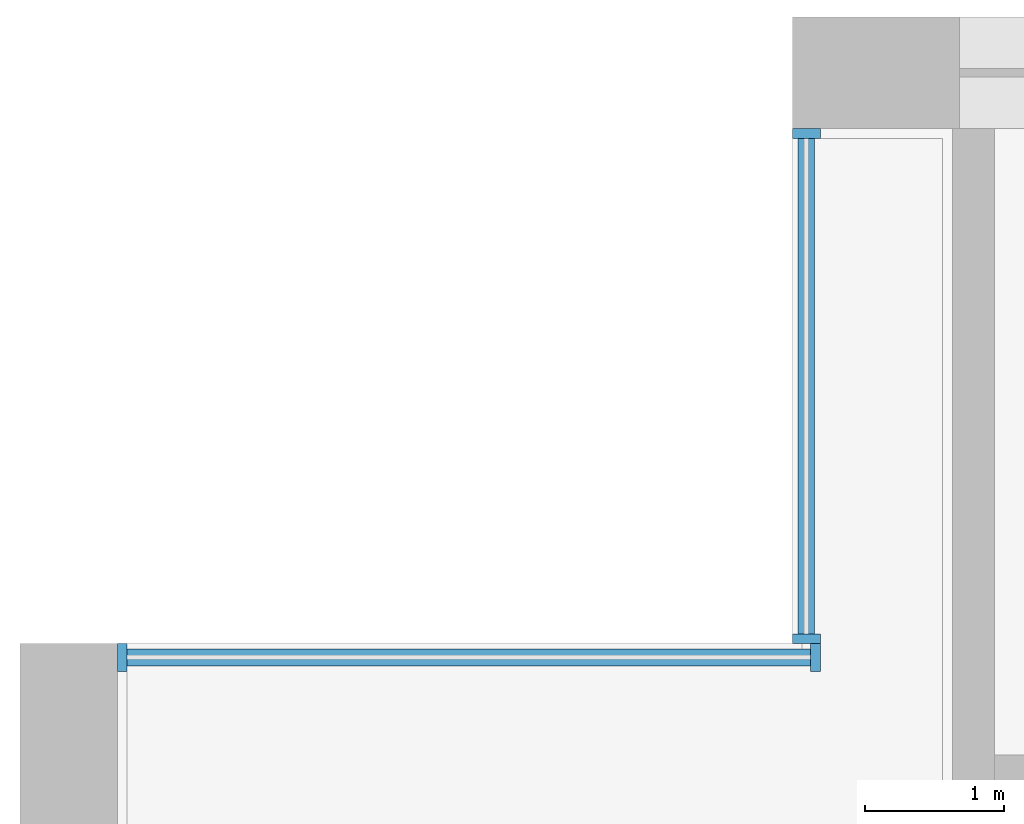
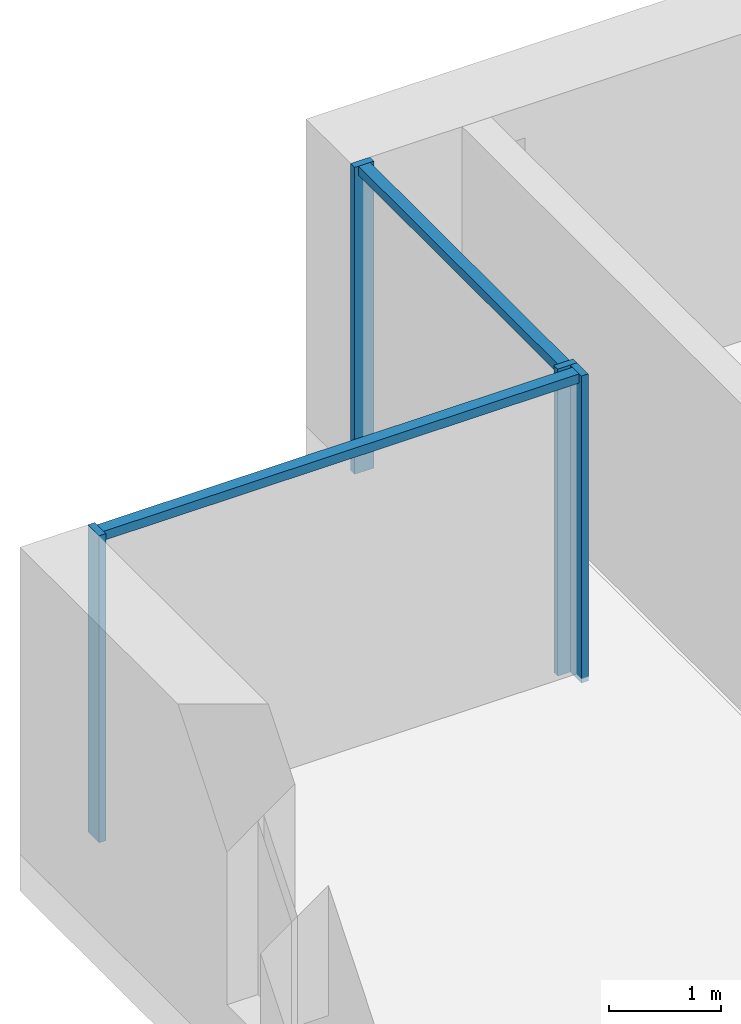
# One storey, part 4 of 16: 6 members, 2 elements without a shape of their own.
"""IFC4 building model written with IfcOpenShell, lengths in metres."""

from ifc_helpers import new_model, si_unit, direction, frame, origin, origin_2d, place, context, subcontext, project, spatial, rectangle, extrude, material, material_profile, profile_set, type_object, element, aggregate, save


model = new_model("IFC4")

# Units and contexts
model_context = context("Model", 3, precision=1e-05, world=origin(), true_north=direction((0.0, 1.0)))
body_context = subcontext(model_context, "Body", "Model", "MODEL_VIEW")
ifc_project = project(units=[si_unit("LENGTHUNIT", "METRE"), si_unit("AREAUNIT", "SQUARE_METRE"), si_unit("VOLUMEUNIT", "CUBIC_METRE"), si_unit("PLANEANGLEUNIT", "RADIAN"), si_unit("MASSUNIT", "GRAM", prefix="KILO")], contexts=[model_context])

# Site, building, storey
site_placement = place(None, origin())
site = spatial("IfcSite", under=ifc_project, at=site_placement, CompositionType="ELEMENT")
building_placement = place(site_placement, origin())
building = spatial("IfcBuilding", under=site, at=building_placement, Name="Calvaro Tower", CompositionType="ELEMENT")
storey_placement = place(building_placement, frame((0.0, 0.0, 136.25)))
storey = spatial("IfcBuildingStorey", under=building, at=storey_placement, Name="L34", CompositionType="ELEMENT", Elevation=136.25)

# Curtain wall, members
ifc_material_1 = material(Name="Anodised aluminium", Category="aluminium")
curtain_wall_type = type_object("IfcCurtainWallType", Name="Office curtain wall, middle zone", PredefinedType="NOTDEFINED", material=ifc_material_1)
curtain_wall_1_placement = place(storey_placement, origin())
curtain_wall_1 = element("IfcCurtainWall", 1, at=curtain_wall_1_placement, inside=storey, type_object=curtain_wall_type, Name="CW2 corner curtain wall", PredefinedType="NOTDEFINED")
ifc_material_2 = material(Name="Anodised aluminium", Category="aluminium")
ifc_material_profile_1 = material_profile(ifc_material_2, rectangle(XDim=0.199951171875, YDim=0.070068359375, at=origin_2d()), Name="Mullion S2 70 x 200")
ifc_profile_set_1 = profile_set([ifc_material_profile_1], Name="Anodised aluminium")
member_type_1 = type_object("IfcMemberType", Name="Mullion S2 70 x 200", PredefinedType="MULLION", material=ifc_profile_set_1)
member_1_placement = place(storey_placement, frame((5.64990234375, 41.534912109375, 0.0), z_axis=(0.0, 0.0, 1.0), x_axis=(-1.0, 0.0, 0.0)))
member_1 = element("IfcMember", 2, at=member_1_placement, type_object=member_type_1, Name="CW2 mullion 1", PredefinedType="MULLION", context=body_context, shape_type="SweptSolid", body=[
    extrude(rectangle(XDim=0.199951171875, YDim=0.070068359375, at=origin_2d()), origin(), (0.0, 0.0, 1.0), 3.35009765625),
])
member_2_placement = place(storey_placement, frame((5.64990234375, 45.1650390625, 0.0), z_axis=(0.0, 0.0, 1.0), x_axis=(-1.0, 0.0, 0.0)))
member_2 = element("IfcMember", 3, at=member_2_placement, type_object=member_type_1, Name="CW2 mullion 2", PredefinedType="MULLION", context=body_context, shape_type="SweptSolid", body=[
    extrude(rectangle(XDim=0.199951171875, YDim=0.070068359375, at=origin_2d()), origin(), (0.0, 0.0, 1.0), 3.35009765625),
])

curtain_wall_2_placement = place(storey_placement, origin())
curtain_wall_2 = element("IfcCurtainWall", 4, at=curtain_wall_2_placement, inside=storey, type_object=curtain_wall_type, Name="CW2 corner curtain wall", PredefinedType="NOTDEFINED")
member_3_placement = place(storey_placement, frame((0.735107421875, 41.39990234375, 0.0), z_axis=(0.0, 0.0, 1.0), x_axis=(0.0, 1.0, 0.0)))
member_3 = element("IfcMember", 5, at=member_3_placement, type_object=member_type_1, Name="CW2 mullion 1", PredefinedType="MULLION", context=body_context, shape_type="SweptSolid", body=[
    extrude(rectangle(XDim=0.199951171875, YDim=0.070068359375, at=origin_2d()), origin(), (0.0, 0.0, 1.0), 3.35009765625),
])
member_4_placement = place(storey_placement, frame((5.715087890625, 41.39990234375, 0.0), z_axis=(0.0, 0.0, 1.0), x_axis=(0.0, 1.0, 0.0)))
member_4 = element("IfcMember", 6, at=member_4_placement, type_object=member_type_1, Name="CW2 mullion 2", PredefinedType="MULLION", context=body_context, shape_type="SweptSolid", body=[
    extrude(rectangle(XDim=0.199951171875, YDim=0.070068359375, at=origin_2d()), origin(), (0.0, 0.0, 1.0), 3.35009765625),
])

# Member
ifc_material_3 = material(Name="Anodised aluminium", Category="aluminium")
ifc_material_profile_2 = material_profile(ifc_material_3, rectangle(XDim=0.1201171875, YDim=0.10009765625, at=origin_2d()), Name="Transom S2 100 x 120")
ifc_profile_set_2 = profile_set([ifc_material_profile_2], Name="Anodised aluminium")
member_type_2 = type_object("IfcMemberType", Name="Transom S2 100 x 120", PredefinedType="USERDEFINED", material=ifc_profile_set_2)
member_5_placement = place(storey_placement, frame((5.64990234375, 41.570068359375, 3.300048828125), z_axis=(0.0, 1.0, 0.0), x_axis=(-1.0, 0.0, 0.0)))
member_5 = element("IfcMember", 7, at=member_5_placement, type_object=member_type_2, Name="CW2 transom 1.1", ObjectType="TRANSOM", PredefinedType="USERDEFINED", context=body_context, shape_type="SweptSolid", body=[
    extrude(rectangle(XDim=0.1201171875, YDim=0.10009765625, at=origin_2d()), origin(), (0.0, 0.0, 1.0), 3.559814453125),
])

aggregate(curtain_wall_1, [member_1, member_2, member_5])

member_6_placement = place(storey_placement, frame((0.77001953125, 41.39990234375, 3.300048828125), z_axis=(1.0, 0.0, 0.0), x_axis=(0.0, 1.0, 0.0)))
member_6 = element("IfcMember", 8, at=member_6_placement, type_object=member_type_2, Name="CW2 transom 1.1", ObjectType="TRANSOM", PredefinedType="USERDEFINED", context=body_context, shape_type="SweptSolid", body=[
    extrude(rectangle(XDim=0.1201171875, YDim=0.10009765625, at=origin_2d()), origin(), (0.0, 0.0, 1.0), 4.909912109375),
])

aggregate(curtain_wall_2, [member_3, member_4, member_6])

save(model, "model.ifc")
